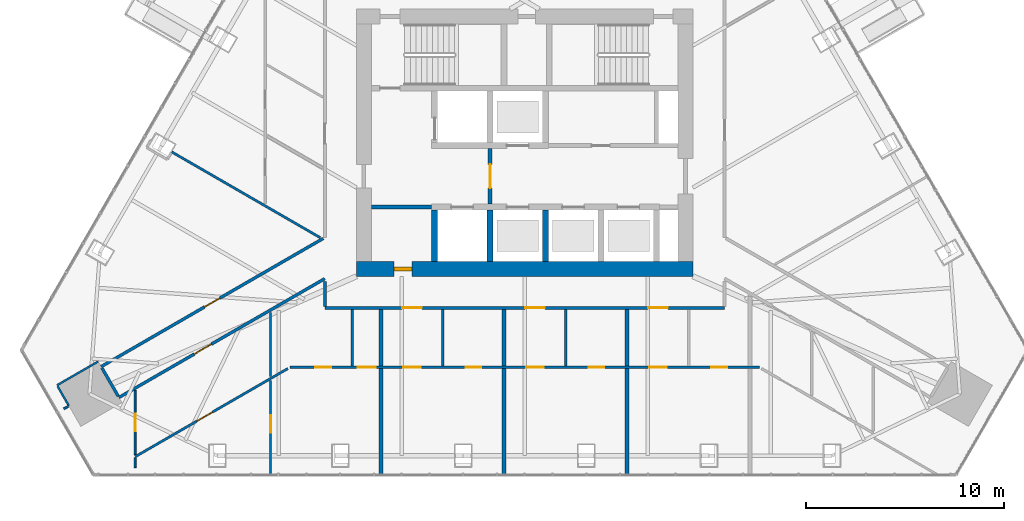
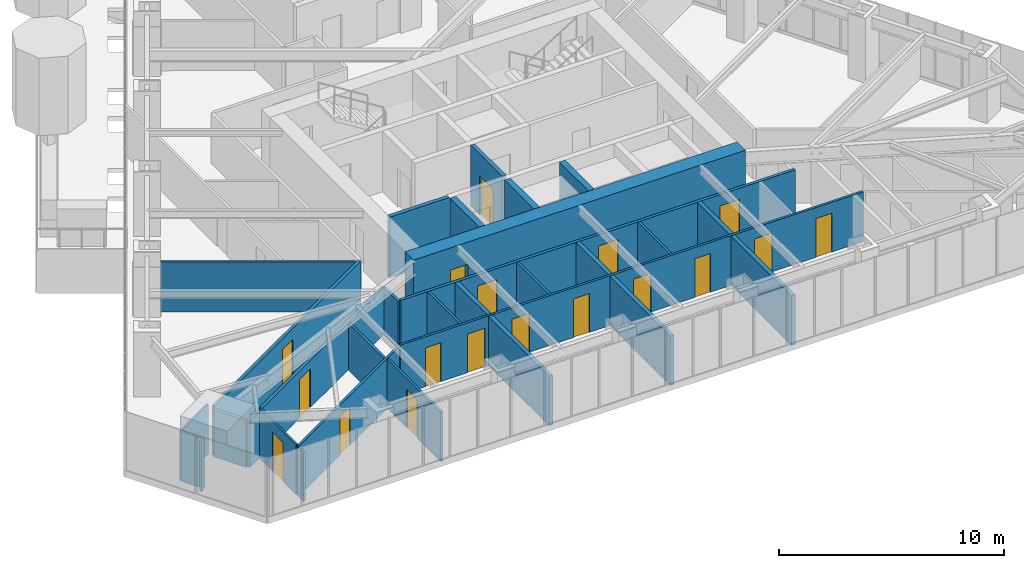
# One storey, part 16 of 22: 30 walls, 18 doors, 18 openings.
"""IFC4 building model written with IfcOpenShell, lengths in metres."""

from ifc_helpers import new_model, si_unit, direction, frame, frame_2d, origin, place, context, subcontext, project, spatial, rectangle, extrude, material, layer, layer_set, type_object, element, fill, save


model = new_model("IFC4")

# Units and contexts
model_context = context("Model", 3, precision=1e-05, world=origin(), true_north=direction((0.0, 1.0)))
body_context = subcontext(model_context, "Body", "Model", "MODEL_VIEW")
ifc_project = project(units=[si_unit("LENGTHUNIT", "METRE"), si_unit("AREAUNIT", "SQUARE_METRE"), si_unit("VOLUMEUNIT", "CUBIC_METRE"), si_unit("PLANEANGLEUNIT", "RADIAN"), si_unit("MASSUNIT", "GRAM", prefix="KILO")], contexts=[model_context])

# Site, building, storey
site_placement = place(None, origin())
site = spatial("IfcSite", under=ifc_project, at=site_placement, CompositionType="ELEMENT")
building_placement = place(site_placement, origin())
building = spatial("IfcBuilding", under=site, at=building_placement, Name="Firuza Gate Tower and Library", CompositionType="ELEMENT")
storey_placement = place(building_placement, frame((0.0, 0.0, 295.10009765625)))
storey = spatial("IfcBuildingStorey", under=building, at=storey_placement, Name="L71", CompositionType="ELEMENT", Elevation=295.10009765625)

# Wall
ifc_material_1 = material(Name="Plasterboard on steel studs", Category="steel")
ifc_layer_1 = layer(ifc_material_1, 0.199951171875)
ifc_layer_set_1 = layer_set([ifc_layer_1], Name="Core partition 200 EI 60")
wall_type_1 = type_object("IfcWallType", Name="Core partition 200 EI 60", PredefinedType="PARTITIONING", material=ifc_layer_set_1)
wall_1_placement = place(storey_placement, frame((67.25, 71.75, 0.0), z_axis=(0.0, 0.0, 1.0), x_axis=(1.0, 0.0, 0.0)))
element("IfcWall", 1, at=wall_1_placement, inside=storey, type_object=wall_type_1, Name="Core partition L71 1", PredefinedType="PARTITIONING", context=body_context, shape_type="SweptSolid", body=[
    extrude(rectangle(XDim=3.050048828125, YDim=0.199951171875, at=frame_2d((1.52490234375, 0.0))), origin(), (0.0, 0.0, 1.0), 3.2998046875),
])

# Wall, opening, door
wall_2_placement = place(storey_placement, frame((73.25, 71.89990234375, 0.0), z_axis=(0.0, 0.0, 1.0), x_axis=(0.0, 1.0, 0.0)))
wall_2 = element("IfcWall", 2, at=wall_2_placement, inside=storey, type_object=wall_type_1, Name="Core partition L71 4", PredefinedType="PARTITIONING", context=body_context, shape_type="SweptSolid", body=[
    extrude(rectangle(XDim=2.800048828125, YDim=0.199951171875, at=frame_2d((1.39990234375, 0.0))), origin(), (0.0, 0.0, 1.0), 3.2998046875),
])
opening_1_placement = place(wall_2_placement, frame((0.800048828125, 0.0, 0.0)))
opening_1 = element("IfcOpeningElement", 3, at=opening_1_placement, cuts=wall_2, Name="Opening L71-K14", PredefinedType="OPENING", context=body_context, shape_type="SweptSolid", body=[
    extrude(rectangle(XDim=1.199951171875, YDim=2.10009765625, at=frame_2d((0.60009765625, 1.050048828125))), frame((0.0, 0.10986328125, 0.0), z_axis=(0.0, -1.0, 0.0), x_axis=(1.0, 0.0, 0.0)), (0.0, 0.0, 1.0), 0.219970703125),
])
ifc_material_2 = material(Name="Steel", Category="steel")
door_type_1 = type_object("IfcDoorType", Name="Fire door 1200x2100 FD90S", OperationType="NOTDEFINED", PredefinedType="DOOR", material=ifc_material_2)
door_1_placement = place(opening_1_placement, origin())
door_1 = element("IfcDoor", 4, at=door_1_placement, inside=storey, type_object=door_type_1, Name="Door L71-K14", OperationType="SINGLE_SWING_LEFT", OverallHeight=2.10009765625, OverallWidth=1.199951171875, PredefinedType="DOOR", context=body_context, shape_type="SweptSolid", body=[
    extrude(rectangle(XDim=1.199951171875, YDim=2.10009765625, at=frame_2d((0.60009765625, 1.050048828125))), frame((0.0, 0.02490234375, 0.0), z_axis=(0.0, -1.0, 0.0), x_axis=(1.0, 0.0, 0.0)), (0.0, 0.0, 1.0), 0.050048828125),
])
fill(opening_1, door_1)

# Walls
ifc_material_3 = material(Name="Concrete C60/75", Category="concrete")
ifc_layer_2 = layer(ifc_material_3, 0.300048828125)
ifc_layer_set_2 = layer_set([ifc_layer_2], Name="Core wall 300 C60/75")
wall_type_2 = type_object("IfcWallType", Name="Core wall 300 C60/75", PredefinedType="SHEAR", material=ifc_layer_set_2)
for number, where, z_axis, x_axis, name in (
    (5, (70.449951171875, 69.0, 0.0), (0.0, 0.0, 1.0), (0.0, 1.0, 0.0), "Core wall L71 7"),
    (6, (73.25, 69.0, 0.0), (0.0, 0.0, 1.0), (0.0, 1.0, 0.0), "Core wall L71 9"),
    (7, (76.050048828125, 69.0, 0.0), (0.0, 0.0, 1.0), (0.0, 1.0, 0.0), "Core wall L71 11"),
):
    element("IfcWall", number, at=place(storey_placement, frame(where, z_axis=z_axis, x_axis=x_axis)), inside=storey, type_object=wall_type_2, Name=name, PredefinedType="SHEAR", context=body_context, shape_type="SweptSolid", body=[
        extrude(rectangle(XDim=2.60009765625, YDim=0.300048828125, at=frame_2d((1.300048828125, 0.0))), origin(), (0.0, 0.0, 1.0), 3.2998046875),
    ])

# Wall, opening, door
ifc_material_4 = material(Name="Concrete C60/75", Category="concrete")
ifc_layer_3 = layer(ifc_material_4, 0.75)
ifc_layer_set_3 = layer_set([ifc_layer_3], Name="Core wall 750 C60/75")
wall_type_3 = type_object("IfcWallType", Name="Core wall 750 C60/75", PredefinedType="SHEAR", material=ifc_layer_set_3)
wall_3_placement = place(storey_placement, frame((66.5, 68.625, 0.0), z_axis=(0.0, 0.0, 1.0), x_axis=(1.0, 0.0, 0.0)))
wall_3 = element("IfcWall", 8, at=wall_3_placement, inside=storey, type_object=wall_type_3, Name="Core wall L71 1", PredefinedType="SHEAR", context=body_context, shape_type="SweptSolid", body=[
    extrude(rectangle(XDim=17.0, YDim=0.75, at=frame_2d((8.5, 0.0))), origin(), (0.0, 0.0, 1.0), 3.2998046875),
])
opening_2_placement = place(wall_3_placement, frame((1.89990234375, 0.0, 0.0)))
opening_2 = element("IfcOpeningElement", 9, at=opening_2_placement, cuts=wall_3, Name="Opening L71-K17", PredefinedType="OPENING", context=body_context, shape_type="SweptSolid", body=[
    extrude(rectangle(XDim=0.89990234375, YDim=2.10009765625, at=frame_2d((0.449951171875, 1.050048828125))), frame((0.0, 0.385009765625, 0.0), z_axis=(0.0, -1.0, 0.0), x_axis=(1.0, 0.0, 0.0)), (0.0, 0.0, 1.0), 0.77001953125),
])
ifc_material_5 = material(Name="Steel", Category="steel")
door_type_2 = type_object("IfcDoorType", Name="Fire door 900x2100 FD30S", OperationType="NOTDEFINED", PredefinedType="DOOR", material=ifc_material_5)
door_2_placement = place(opening_2_placement, origin())
door_2 = element("IfcDoor", 10, at=door_2_placement, inside=storey, type_object=door_type_2, Name="Door L71-K17", OperationType="SINGLE_SWING_RIGHT", OverallHeight=2.10009765625, OverallWidth=0.89990234375, PredefinedType="DOOR", context=body_context, shape_type="SweptSolid", body=[
    extrude(rectangle(XDim=0.89990234375, YDim=2.10009765625, at=frame_2d((0.449951171875, 1.050048828125))), frame((0.0, 0.094970703125, 0.0), z_axis=(0.0, -1.0, 0.0), x_axis=(1.0, 0.0, 0.0)), (0.0, 0.0, 1.0), 0.18994140625),
])
fill(opening_2, door_2)

# Wall, openings, doors
ifc_material_6 = material(Name="Gypsum board partition")
ifc_layer_4 = layer(ifc_material_6, 0.14990234375)
ifc_layer_set_4 = layer_set([ifc_layer_4], Name="Corridor wall 150 double board on steel studs")
wall_type_4 = type_object("IfcWallType", Name="Corridor wall 150 double board on steel studs", PredefinedType="PARTITIONING", material=ifc_layer_set_4)
wall_4_placement = place(storey_placement, frame((85.10009765625, 66.64990234375, 0.0), z_axis=(0.0, 0.0, 1.0), x_axis=(-1.0, 0.0, 0.0)))
wall_4 = element("IfcWall", 11, at=wall_4_placement, inside=storey, type_object=wall_type_4, Name="f:L71:w001", PredefinedType="PARTITIONING", context=body_context, shape_type="SweptSolid", body=[
    extrude(rectangle(XDim=20.2001953125, YDim=0.14990234375, at=frame_2d((10.10009765625, 0.0))), origin(), (0.0, 0.0, 1.0), 2.699951171875),
])
opening_3_placement = place(wall_4_placement, frame((2.868896484375, 0.0, 0.0)))
opening_3 = element("IfcOpeningElement", 12, at=opening_3_placement, cuts=wall_4, Name="Opening L71-09", PredefinedType="OPENING", context=body_context, shape_type="SweptSolid", body=[
    extrude(rectangle(XDim=1.0, YDim=2.10009765625, at=frame_2d((0.5, 1.050048828125))), frame((0.0, 0.0849609375, 0.0), z_axis=(0.0, -1.0, 0.0), x_axis=(1.0, 0.0, 0.0)), (0.0, 0.0, 1.0), 0.169921875),
])
opening_4_placement = place(wall_4_placement, frame((9.082275390625, 0.0, 0.0)))
opening_4 = element("IfcOpeningElement", 13, at=opening_4_placement, cuts=wall_4, Name="Opening L71-10", PredefinedType="OPENING", context=body_context, shape_type="SweptSolid", body=[
    extrude(rectangle(XDim=1.0, YDim=2.10009765625, at=frame_2d((0.5, 1.050048828125))), frame((0.0, 0.0849609375, 0.0), z_axis=(0.0, -1.0, 0.0), x_axis=(1.0, 0.0, 0.0)), (0.0, 0.0, 1.0), 0.169921875),
])
opening_5_placement = place(wall_4_placement, frame((15.295654296875, 0.0, 0.0)))
opening_5 = element("IfcOpeningElement", 14, at=opening_5_placement, cuts=wall_4, Name="Opening L71-11", PredefinedType="OPENING", context=body_context, shape_type="SweptSolid", body=[
    extrude(rectangle(XDim=1.0, YDim=2.10009765625, at=frame_2d((0.5, 1.050048828125))), frame((0.0, 0.0849609375, 0.0), z_axis=(0.0, -1.0, 0.0), x_axis=(1.0, 0.0, 0.0)), (0.0, 0.0, 1.0), 0.169921875),
])
ifc_material_7 = material(Name="Steel door and timber leaf", Category="steel")
door_type_3 = type_object("IfcDoorType", Name="Fire door 1000 x 2100 steel frame, timber leaf", OperationType="NOTDEFINED", PredefinedType="DOOR", material=ifc_material_7)
door_3_placement = place(opening_3_placement, origin())
door_3 = element("IfcDoor", 15, at=door_3_placement, inside=storey, type_object=door_type_3, Name="f:L71:d009", OperationType="SINGLE_SWING_LEFT", OverallHeight=2.10009765625, OverallWidth=1.0, PredefinedType="DOOR", context=body_context, shape_type="SweptSolid", body=[
    extrude(rectangle(XDim=1.0, YDim=2.10009765625, at=frame_2d((0.5, 1.050048828125))), frame((0.0, 0.02490234375, 0.0), z_axis=(0.0, -1.0, 0.0), x_axis=(1.0, 0.0, 0.0)), (0.0, 0.0, 1.0), 0.050048828125),
])
fill(opening_3, door_3)
door_4_placement = place(opening_4_placement, origin())
door_4 = element("IfcDoor", 16, at=door_4_placement, inside=storey, type_object=door_type_3, Name="f:L71:d010", OperationType="SINGLE_SWING_RIGHT", OverallHeight=2.10009765625, OverallWidth=1.0, PredefinedType="DOOR", context=body_context, shape_type="SweptSolid", body=[
    extrude(rectangle(XDim=1.0, YDim=2.10009765625, at=frame_2d((0.5, 1.050048828125))), frame((0.0, 0.02490234375, 0.0), z_axis=(0.0, -1.0, 0.0), x_axis=(1.0, 0.0, 0.0)), (0.0, 0.0, 1.0), 0.050048828125),
])
fill(opening_4, door_4)
door_5_placement = place(opening_5_placement, origin())
door_5 = element("IfcDoor", 17, at=door_5_placement, inside=storey, type_object=door_type_3, Name="f:L71:d011", OperationType="SINGLE_SWING_LEFT", OverallHeight=2.10009765625, OverallWidth=1.0, PredefinedType="DOOR", context=body_context, shape_type="SweptSolid", body=[
    extrude(rectangle(XDim=1.0, YDim=2.10009765625, at=frame_2d((0.5, 1.050048828125))), frame((0.0, 0.02490234375, 0.0), z_axis=(0.0, -1.0, 0.0), x_axis=(1.0, 0.0, 0.0)), (0.0, 0.0, 1.0), 0.050048828125),
])
fill(opening_5, door_5)

# Wall, opening, door
wall_5_placement = place(storey_placement, frame((64.89990234375, 68.129638671875, 0.0), z_axis=(0.0, 0.0, 1.0), x_axis=(-0.866024746207, -0.500001138955, 0.0)))
wall_5 = element("IfcWall", 18, at=wall_5_placement, inside=storey, type_object=wall_type_4, Name="f:L71:w012", PredefinedType="PARTITIONING", context=body_context, shape_type="SweptSolid", body=[
    extrude(rectangle(XDim=12.0068359375, YDim=0.14990234375, at=frame_2d((6.00341796875, 0.0))), origin(), (0.0, 0.0, 1.0), 2.546875),
])
opening_6_placement = place(wall_5_placement, frame((6.611083984375, 0.0, 0.0)))
opening_6 = element("IfcOpeningElement", 19, at=opening_6_placement, cuts=wall_5, Name="Opening L71-17", PredefinedType="OPENING", context=body_context, shape_type="SweptSolid", body=[
    extrude(rectangle(XDim=1.0, YDim=2.10009765625, at=frame_2d((0.5, 1.050048828125))), frame((0.0, 0.0849609375, 0.0), z_axis=(0.0, -1.0, 0.0), x_axis=(1.0, 0.0, 0.0)), (0.0, 0.0, 1.0), 0.169921875),
])
door_6_placement = place(opening_6_placement, origin())
door_6 = element("IfcDoor", 20, at=door_6_placement, inside=storey, type_object=door_type_3, Name="f:L71:d017", OperationType="SINGLE_SWING_RIGHT", OverallHeight=2.10009765625, OverallWidth=1.0, PredefinedType="DOOR", context=body_context, shape_type="SweptSolid", body=[
    extrude(rectangle(XDim=1.0, YDim=2.10009765625, at=frame_2d((0.5, 1.050048828125))), frame((0.0, 0.02490234375, 0.0), z_axis=(0.0, -1.0, 0.0), x_axis=(1.0, 0.0, 0.0)), (0.0, 0.0, 1.0), 0.050048828125),
])
fill(opening_6, door_6)

wall_6_placement = place(storey_placement, frame((53.601318359375, 63.684814453125, 0.0), z_axis=(0.0, 0.0, 1.0), x_axis=(0.866024967991, 0.500000754816, 0.0)))
wall_6 = element("IfcWall", 21, at=wall_6_placement, inside=storey, type_object=wall_type_4, Name="f:L71:w015", PredefinedType="PARTITIONING", context=body_context, shape_type="SweptSolid", body=[
    extrude(rectangle(XDim=12.9599609375, YDim=0.14990234375, at=frame_2d((6.47998046875, 0.0))), origin(), (0.0, 0.0, 1.0), 2.699951171875),
])
opening_7_placement = place(wall_6_placement, frame((6.030029296875, 0.0, 0.0)))
opening_7 = element("IfcOpeningElement", 22, at=opening_7_placement, cuts=wall_6, Name="Opening L71-18", PredefinedType="OPENING", context=body_context, shape_type="SweptSolid", body=[
    extrude(rectangle(XDim=0.89990234375, YDim=2.10009765625, at=frame_2d((0.449951171875, 1.050048828125))), frame((0.0, 0.0849609375, 0.0), z_axis=(0.0, -1.0, 0.0), x_axis=(1.0, 0.0, 0.0)), (0.0, 0.0, 1.0), 0.169921875),
])
ifc_material_8 = material(Name="Steel door and timber leaf", Category="steel")
door_type_4 = type_object("IfcDoorType", Name="Fire door 900 x 2100 steel frame, timber leaf", OperationType="NOTDEFINED", PredefinedType="DOOR", material=ifc_material_8)
door_7_placement = place(opening_7_placement, origin())
door_7 = element("IfcDoor", 23, at=door_7_placement, inside=storey, type_object=door_type_4, Name="f:L71:d018", OperationType="SINGLE_SWING_RIGHT", OverallHeight=2.10009765625, OverallWidth=0.89990234375, PredefinedType="DOOR", context=body_context, shape_type="SweptSolid", body=[
    extrude(rectangle(XDim=0.89990234375, YDim=2.10009765625, at=frame_2d((0.449951171875, 1.050048828125))), frame((0.0, 0.02490234375, 0.0), z_axis=(0.0, -1.0, 0.0), x_axis=(1.0, 0.0, 0.0)), (0.0, 0.0, 1.0), 0.050048828125),
])
fill(opening_7, door_7)

# Walls
wall_7_placement = place(storey_placement, frame((64.89990234375, 66.72509765625, 0.0), z_axis=(0.0, 0.0, 1.0), x_axis=(0.0, 1.0, 0.0)))
element("IfcWall", 24, at=wall_7_placement, inside=storey, type_object=wall_type_4, Name="f:L71:w043", PredefinedType="PARTITIONING", context=body_context, shape_type="SweptSolid", body=[
    extrude(rectangle(XDim=1.267822265625, YDim=0.14990234375, at=frame_2d((0.6337890625, 0.0))), origin(), (0.0, 0.0, 1.0), 2.546875),
])
wall_8_placement = place(storey_placement, frame((54.464111328125, 62.19140625, 0.0), z_axis=(0.0, 0.0, 1.0), x_axis=(-0.499988108725, 0.866032269107, 0.0)))
element("IfcWall", 25, at=wall_8_placement, inside=storey, type_object=wall_type_4, Name="f:L71:w048", PredefinedType="PARTITIONING", context=body_context, shape_type="SweptSolid", body=[
    extrude(rectangle(XDim=1.64404296875, YDim=0.14990234375, at=frame_2d((0.822021484375, 0.0))), origin(), (0.0, 0.0, 1.0), 2.546875),
])
ifc_material_9 = material(Name="Gypsum board partition")
ifc_layer_5 = layer(ifc_material_9, 0.199951171875)
ifc_layer_set_5 = layer_set([ifc_layer_5], Name="Demising wall 200 acoustic double stud")
wall_type_5 = type_object("IfcWallType", Name="Demising wall 200 acoustic double stud", PredefinedType="PARTITIONING", material=ifc_layer_set_5)
for number, where, z_axis, x_axis, name in (
    (26, (80.177978515625, 58.2275390625, 0.0), (0.0, 0.0, 1.0), (0.0, 1.0, 0.0), "f:L71:w029"),
    (27, (73.964111328125, 58.2275390625, 0.0), (0.0, 0.0, 1.0), (0.0, 1.0, 0.0), "f:L71:w036"),
    (28, (67.7509765625, 58.2275390625, 0.0), (0.0, 0.0, 1.0), (0.0, 1.0, 0.0), "f:L71:w041"),
):
    element("IfcWall", number, at=place(storey_placement, frame(where, z_axis=z_axis, x_axis=x_axis)), inside=storey, type_object=wall_type_5, Name=name, PredefinedType="PARTITIONING", context=body_context, shape_type="SweptSolid", body=[
        extrude(rectangle(XDim=5.362548828125, YDim=0.199951171875, at=frame_2d((2.68115234375, 0.0))), origin(), (0.0, 0.0, 1.0), 2.68798828125),
    ])
for number, where, z_axis, x_axis, name in (
    (29, (80.177978515625, 63.7099609375, 0.0), (0.0, 0.0, 1.0), (0.0, 1.0, 0.0), "f:L71:w062"),
    (30, (73.964111328125, 63.7099609375, 0.0), (0.0, 0.0, 1.0), (0.0, 1.0, 0.0), "f:L71:w064"),
    (31, (67.7509765625, 63.7099609375, 0.0), (0.0, 0.0, 1.0), (0.0, 1.0, 0.0), "f:L71:w065"),
):
    element("IfcWall", number, at=place(storey_placement, frame(where, z_axis=z_axis, x_axis=x_axis)), inside=storey, type_object=wall_type_5, Name=name, PredefinedType="PARTITIONING", context=body_context, shape_type="SweptSolid", body=[
        extrude(rectangle(XDim=2.864990234375, YDim=0.199951171875, at=frame_2d((1.4326171875, 0.0))), origin(), (0.0, 0.0, 1.0), 2.699951171875),
    ])
ifc_material_10 = material(Name="Gypsum board partition")
ifc_layer_6 = layer(ifc_material_10, 0.10009765625)
ifc_layer_set_6 = layer_set([ifc_layer_6], Name="Partition 100 gypsum board on steel studs")
wall_type_6 = type_object("IfcWallType", Name="Partition 100 gypsum board on steel studs", PredefinedType="PARTITIONING", material=ifc_layer_set_6)
wall_9_placement = place(storey_placement, frame((51.713134765625, 61.555419921875, 0.0), z_axis=(0.0, 0.0, 1.0), x_axis=(0.866071776036, 0.499919672301, 0.0)))
element("IfcWall", 32, at=wall_9_placement, inside=storey, type_object=wall_type_6, Name="f:L71:w013", PredefinedType="PARTITIONING", context=body_context, shape_type="SweptSolid", body=[
    extrude(rectangle(XDim=0.25, YDim=0.10009765625, at=frame_2d((0.125, 0.0))), origin(), (0.0, 0.0, 1.0), 2.699951171875),
])
wall_10_placement = place(storey_placement, frame((51.373291015625, 62.744873046875, 0.0), z_axis=(0.0, 0.0, 1.0), x_axis=(0.866036455013, 0.499980858223, 0.0)))
element("IfcWall", 33, at=wall_10_placement, inside=storey, type_object=wall_type_6, Name="f:L71:w016", PredefinedType="PARTITIONING", context=body_context, shape_type="SweptSolid", body=[
    extrude(rectangle(XDim=2.39892578125, YDim=0.10009765625, at=frame_2d((1.199462890625, 0.0))), origin(), (0.0, 0.0, 1.0), 2.699951171875),
])
wall_11_placement = place(storey_placement, frame((55.323974609375, 58.587646484375, 0.0), z_axis=(0.0, 0.0, 1.0), x_axis=(0.0, 1.0, 0.0)))
element("IfcWall", 34, at=wall_11_placement, inside=storey, type_object=wall_type_6, Name="f:L71:w047", PredefinedType="PARTITIONING", context=body_context, shape_type="SweptSolid", body=[
    extrude(rectangle(XDim=0.49755859375, YDim=0.10009765625, at=frame_2d((0.248779296875, 0.0))), origin(), (0.0, 0.0, 1.0), 2.699951171875),
])
wall_12_placement = place(storey_placement, frame((51.973388671875, 61.70556640625, 0.0), z_axis=(0.0, 0.0, 1.0), x_axis=(-0.500022773673, 0.866012254999, 0.0)))
element("IfcWall", 35, at=wall_12_placement, inside=storey, type_object=wall_type_6, Name="f:L71:w049", PredefinedType="PARTITIONING", context=body_context, shape_type="SweptSolid", body=[
    extrude(rectangle(XDim=1.1494140625, YDim=0.10009765625, at=frame_2d((0.57470703125, 0.0))), origin(), (0.0, 0.0, 1.0), 2.699951171875),
])

# Wall, opening, door
wall_13_placement = place(storey_placement, frame((55.323974609375, 62.484375, 0.0), z_axis=(0.0, 0.0, 1.0), x_axis=(0.0, -1.0, 0.0)))
wall_13 = element("IfcWall", 36, at=wall_13_placement, inside=storey, type_object=wall_type_6, Name="f:L71:w063", PredefinedType="PARTITIONING", context=body_context, shape_type="SweptSolid", body=[
    extrude(rectangle(XDim=3.24951171875, YDim=0.10009765625, at=frame_2d((1.624755859375, 0.0))), origin(), (0.0, 0.0, 1.0), 2.699951171875),
])
opening_8_placement = place(wall_13_placement, frame((1.1748046875, 0.0, 0.0)))
opening_8 = element("IfcOpeningElement", 37, at=opening_8_placement, cuts=wall_13, Name="Opening L71-28", PredefinedType="OPENING", context=body_context, shape_type="SweptSolid", body=[
    extrude(rectangle(XDim=0.89990234375, YDim=2.10009765625, at=frame_2d((0.449951171875, 1.050048828125))), frame((0.0, 0.06005859375, 0.0), z_axis=(0.0, -1.0, 0.0), x_axis=(1.0, 0.0, 0.0)), (0.0, 0.0, 1.0), 0.1201171875),
])
ifc_material_11 = material(Name="Timber door", Category="wood")
door_type_5 = type_object("IfcDoorType", Name="Door 900 x 2100 timber leaf", OperationType="NOTDEFINED", PredefinedType="DOOR", material=ifc_material_11)
door_8_placement = place(opening_8_placement, origin())
door_8 = element("IfcDoor", 38, at=door_8_placement, inside=storey, type_object=door_type_5, Name="f:L71:d028", OperationType="SINGLE_SWING_RIGHT", OverallHeight=2.10009765625, OverallWidth=0.89990234375, PredefinedType="DOOR", context=body_context, shape_type="SweptSolid", body=[
    extrude(rectangle(XDim=0.89990234375, YDim=2.10009765625, at=frame_2d((0.449951171875, 1.050048828125))), frame((0.0, 0.02490234375, 0.0), z_axis=(0.0, -1.0, 0.0), x_axis=(1.0, 0.0, 0.0)), (0.0, 0.0, 1.0), 0.050048828125),
])
fill(opening_8, door_8)

# Wall, openings, doors
ifc_material_12 = material(Name="Gypsum board partition")
ifc_layer_7 = layer(ifc_material_12, 0.1201171875)
ifc_layer_set_7 = layer_set([ifc_layer_7], Name="Wet-area partition 120 moisture-resistant board")
wall_type_7 = type_object("IfcWallType", Name="Wet-area partition 120 moisture-resistant board", PredefinedType="PARTITIONING", material=ifc_layer_set_7)
wall_14_placement = place(storey_placement, frame((63.14111328125, 63.64990234375, 0.0), z_axis=(0.0, 0.0, 1.0), x_axis=(1.0, 0.0, 0.0)))
wall_14 = element("IfcWall", 39, at=wall_14_placement, inside=storey, type_object=wall_type_7, Name="f:L71:w000", PredefinedType="PARTITIONING", context=body_context, shape_type="SweptSolid", body=[
    extrude(rectangle(XDim=23.7177734375, YDim=0.1201171875, at=frame_2d((11.85888671875, 0.0))), origin(), (0.0, 0.0, 1.0), 2.699951171875),
])
opening_9_placement = place(wall_14_placement, frame((1.275634765625, 0.0, 0.0)))
opening_9 = element("IfcOpeningElement", 40, at=opening_9_placement, cuts=wall_14, Name="Opening L71-01", PredefinedType="OPENING", context=body_context, shape_type="SweptSolid", body=[
    extrude(rectangle(XDim=0.800048828125, YDim=2.10009765625, at=frame_2d((0.39990234375, 1.050048828125))), frame((0.0, 0.070068359375, 0.0), z_axis=(0.0, -1.0, 0.0), x_axis=(1.0, 0.0, 0.0)), (0.0, 0.0, 1.0), 0.14013671875),
])
opening_10_placement = place(wall_14_placement, frame((3.430419921875, 0.0, 0.0)))
opening_10 = element("IfcOpeningElement", 41, at=opening_10_placement, cuts=wall_14, Name="Opening L71-02", PredefinedType="OPENING", context=body_context, shape_type="SweptSolid", body=[
    extrude(rectangle(XDim=0.89990234375, YDim=2.10009765625, at=frame_2d((0.449951171875, 1.050048828125))), frame((0.0, 0.070068359375, 0.0), z_axis=(0.0, -1.0, 0.0), x_axis=(1.0, 0.0, 0.0)), (0.0, 0.0, 1.0), 0.14013671875),
])
opening_11_placement = place(wall_14_placement, frame((5.71484375, 0.0, 0.0)))
opening_11 = element("IfcOpeningElement", 42, at=opening_11_placement, cuts=wall_14, Name="Opening L71-03", PredefinedType="OPENING", context=body_context, shape_type="SweptSolid", body=[
    extrude(rectangle(XDim=0.89990234375, YDim=2.10009765625, at=frame_2d((0.449951171875, 1.050048828125))), frame((0.0, 0.070068359375, 0.0), z_axis=(0.0, -1.0, 0.0), x_axis=(1.0, 0.0, 0.0)), (0.0, 0.0, 1.0), 0.14013671875),
])
opening_12_placement = place(wall_14_placement, frame((8.869873046875, 0.0, 0.0)))
opening_12 = element("IfcOpeningElement", 43, at=opening_12_placement, cuts=wall_14, Name="Opening L71-04", PredefinedType="OPENING", context=body_context, shape_type="SweptSolid", body=[
    extrude(rectangle(XDim=0.800048828125, YDim=2.10009765625, at=frame_2d((0.39990234375, 1.050048828125))), frame((0.0, 0.070068359375, 0.0), z_axis=(0.0, -1.0, 0.0), x_axis=(1.0, 0.0, 0.0)), (0.0, 0.0, 1.0), 0.14013671875),
])
opening_13_placement = place(wall_14_placement, frame((11.927978515625, 0.0, 0.0)))
opening_13 = element("IfcOpeningElement", 44, at=opening_13_placement, cuts=wall_14, Name="Opening L71-05", PredefinedType="OPENING", context=body_context, shape_type="SweptSolid", body=[
    extrude(rectangle(XDim=0.89990234375, YDim=2.10009765625, at=frame_2d((0.449951171875, 1.050048828125))), frame((0.0, 0.070068359375, 0.0), z_axis=(0.0, -1.0, 0.0), x_axis=(1.0, 0.0, 0.0)), (0.0, 0.0, 1.0), 0.14013671875),
])
opening_14_placement = place(wall_14_placement, frame((15.083251953125, 0.0, 0.0)))
opening_14 = element("IfcOpeningElement", 45, at=opening_14_placement, cuts=wall_14, Name="Opening L71-06", PredefinedType="OPENING", context=body_context, shape_type="SweptSolid", body=[
    extrude(rectangle(XDim=0.800048828125, YDim=2.10009765625, at=frame_2d((0.39990234375, 1.050048828125))), frame((0.0, 0.070068359375, 0.0), z_axis=(0.0, -1.0, 0.0), x_axis=(1.0, 0.0, 0.0)), (0.0, 0.0, 1.0), 0.14013671875),
])
opening_15_placement = place(wall_14_placement, frame((18.141357421875, 0.0, 0.0)))
opening_15 = element("IfcOpeningElement", 46, at=opening_15_placement, cuts=wall_14, Name="Opening L71-07", PredefinedType="OPENING", context=body_context, shape_type="SweptSolid", body=[
    extrude(rectangle(XDim=0.89990234375, YDim=2.10009765625, at=frame_2d((0.449951171875, 1.050048828125))), frame((0.0, 0.070068359375, 0.0), z_axis=(0.0, -1.0, 0.0), x_axis=(1.0, 0.0, 0.0)), (0.0, 0.0, 1.0), 0.14013671875),
])
opening_16_placement = place(wall_14_placement, frame((21.296630859375, 0.0, 0.0)))
opening_16 = element("IfcOpeningElement", 47, at=opening_16_placement, cuts=wall_14, Name="Opening L71-08", PredefinedType="OPENING", context=body_context, shape_type="SweptSolid", body=[
    extrude(rectangle(XDim=0.800048828125, YDim=2.10009765625, at=frame_2d((0.39990234375, 1.050048828125))), frame((0.0, 0.070068359375, 0.0), z_axis=(0.0, -1.0, 0.0), x_axis=(1.0, 0.0, 0.0)), (0.0, 0.0, 1.0), 0.14013671875),
])
ifc_material_13 = material(Name="Timber door", Category="wood")
door_type_6 = type_object("IfcDoorType", Name="Door 800 x 2100 timber leaf", OperationType="NOTDEFINED", PredefinedType="DOOR", material=ifc_material_13)
door_9_placement = place(opening_9_placement, origin())
door_9 = element("IfcDoor", 48, at=door_9_placement, inside=storey, type_object=door_type_6, Name="f:L71:d001", OperationType="SINGLE_SWING_RIGHT", OverallHeight=2.10009765625, OverallWidth=0.800048828125, PredefinedType="DOOR", context=body_context, shape_type="SweptSolid", body=[
    extrude(rectangle(XDim=0.800048828125, YDim=2.10009765625, at=frame_2d((0.39990234375, 1.050048828125))), frame((0.0, 0.02490234375, 0.0), z_axis=(0.0, -1.0, 0.0), x_axis=(1.0, 0.0, 0.0)), (0.0, 0.0, 1.0), 0.050048828125),
])
fill(opening_9, door_9)
door_10_placement = place(opening_12_placement, origin())
door_10 = element("IfcDoor", 49, at=door_10_placement, inside=storey, type_object=door_type_6, Name="f:L71:d004", OperationType="SINGLE_SWING_LEFT", OverallHeight=2.10009765625, OverallWidth=0.800048828125, PredefinedType="DOOR", context=body_context, shape_type="SweptSolid", body=[
    extrude(rectangle(XDim=0.800048828125, YDim=2.10009765625, at=frame_2d((0.39990234375, 1.050048828125))), frame((0.0, 0.02490234375, 0.0), z_axis=(0.0, -1.0, 0.0), x_axis=(1.0, 0.0, 0.0)), (0.0, 0.0, 1.0), 0.050048828125),
])
fill(opening_12, door_10)
door_11_placement = place(opening_14_placement, origin())
door_11 = element("IfcDoor", 50, at=door_11_placement, inside=storey, type_object=door_type_6, Name="f:L71:d006", OperationType="SINGLE_SWING_RIGHT", OverallHeight=2.10009765625, OverallWidth=0.800048828125, PredefinedType="DOOR", context=body_context, shape_type="SweptSolid", body=[
    extrude(rectangle(XDim=0.800048828125, YDim=2.10009765625, at=frame_2d((0.39990234375, 1.050048828125))), frame((0.0, 0.02490234375, 0.0), z_axis=(0.0, -1.0, 0.0), x_axis=(1.0, 0.0, 0.0)), (0.0, 0.0, 1.0), 0.050048828125),
])
fill(opening_14, door_11)
door_12_placement = place(opening_16_placement, origin())
door_12 = element("IfcDoor", 51, at=door_12_placement, inside=storey, type_object=door_type_6, Name="f:L71:d008", OperationType="SINGLE_SWING_LEFT", OverallHeight=2.10009765625, OverallWidth=0.800048828125, PredefinedType="DOOR", context=body_context, shape_type="SweptSolid", body=[
    extrude(rectangle(XDim=0.800048828125, YDim=2.10009765625, at=frame_2d((0.39990234375, 1.050048828125))), frame((0.0, 0.02490234375, 0.0), z_axis=(0.0, -1.0, 0.0), x_axis=(1.0, 0.0, 0.0)), (0.0, 0.0, 1.0), 0.050048828125),
])
fill(opening_16, door_12)
door_13_placement = place(opening_10_placement, origin())
door_13 = element("IfcDoor", 52, at=door_13_placement, inside=storey, type_object=door_type_5, Name="f:L71:d002", OperationType="SINGLE_SWING_LEFT", OverallHeight=2.10009765625, OverallWidth=0.89990234375, PredefinedType="DOOR", context=body_context, shape_type="SweptSolid", body=[
    extrude(rectangle(XDim=0.89990234375, YDim=2.10009765625, at=frame_2d((0.449951171875, 1.050048828125))), frame((0.0, 0.02490234375, 0.0), z_axis=(0.0, -1.0, 0.0), x_axis=(1.0, 0.0, 0.0)), (0.0, 0.0, 1.0), 0.050048828125),
])
fill(opening_10, door_13)
door_14_placement = place(opening_11_placement, origin())
door_14 = element("IfcDoor", 53, at=door_14_placement, inside=storey, type_object=door_type_5, Name="f:L71:d003", OperationType="SINGLE_SWING_LEFT", OverallHeight=2.10009765625, OverallWidth=0.89990234375, PredefinedType="DOOR", context=body_context, shape_type="SweptSolid", body=[
    extrude(rectangle(XDim=0.89990234375, YDim=2.10009765625, at=frame_2d((0.449951171875, 1.050048828125))), frame((0.0, 0.02490234375, 0.0), z_axis=(0.0, -1.0, 0.0), x_axis=(1.0, 0.0, 0.0)), (0.0, 0.0, 1.0), 0.050048828125),
])
fill(opening_11, door_14)
door_15_placement = place(opening_13_placement, origin())
door_15 = element("IfcDoor", 54, at=door_15_placement, inside=storey, type_object=door_type_5, Name="f:L71:d005", OperationType="SINGLE_SWING_RIGHT", OverallHeight=2.10009765625, OverallWidth=0.89990234375, PredefinedType="DOOR", context=body_context, shape_type="SweptSolid", body=[
    extrude(rectangle(XDim=0.89990234375, YDim=2.10009765625, at=frame_2d((0.449951171875, 1.050048828125))), frame((0.0, 0.02490234375, 0.0), z_axis=(0.0, -1.0, 0.0), x_axis=(1.0, 0.0, 0.0)), (0.0, 0.0, 1.0), 0.050048828125),
])
fill(opening_13, door_15)
door_16_placement = place(opening_15_placement, origin())
door_16 = element("IfcDoor", 55, at=door_16_placement, inside=storey, type_object=door_type_5, Name="f:L71:d007", OperationType="SINGLE_SWING_LEFT", OverallHeight=2.10009765625, OverallWidth=0.89990234375, PredefinedType="DOOR", context=body_context, shape_type="SweptSolid", body=[
    extrude(rectangle(XDim=0.89990234375, YDim=2.10009765625, at=frame_2d((0.449951171875, 1.050048828125))), frame((0.0, 0.02490234375, 0.0), z_axis=(0.0, -1.0, 0.0), x_axis=(1.0, 0.0, 0.0)), (0.0, 0.0, 1.0), 0.050048828125),
])
fill(opening_15, door_16)

# Wall, opening, door
wall_15_placement = place(storey_placement, frame((63.037353515625, 63.590087890625, 0.0), z_axis=(0.0, 0.0, 1.0), x_axis=(-0.866021245731, -0.500007201891, 0.0)))
wall_15 = element("IfcWall", 56, at=wall_15_placement, inside=storey, type_object=wall_type_7, Name="f:L71:w011", PredefinedType="PARTITIONING", context=body_context, shape_type="SweptSolid", body=[
    extrude(rectangle(XDim=8.906005859375, YDim=0.1201171875, at=frame_2d((4.453125, 0.0))), origin(), (0.0, 0.0, 1.0), 2.699951171875),
])
opening_17_placement = place(wall_15_placement, frame((4.41015625, 0.0, 0.0)))
opening_17 = element("IfcOpeningElement", 57, at=opening_17_placement, cuts=wall_15, Name="Opening L71-16", PredefinedType="OPENING", context=body_context, shape_type="SweptSolid", body=[
    extrude(rectangle(XDim=0.89990234375, YDim=2.10009765625, at=frame_2d((0.449951171875, 1.050048828125))), frame((0.0, 0.070068359375, 0.0), z_axis=(0.0, -1.0, 0.0), x_axis=(1.0, 0.0, 0.0)), (0.0, 0.0, 1.0), 0.14013671875),
])
door_17_placement = place(opening_17_placement, origin())
door_17 = element("IfcDoor", 58, at=door_17_placement, inside=storey, type_object=door_type_5, Name="f:L71:d016", OperationType="SINGLE_SWING_LEFT", OverallHeight=2.10009765625, OverallWidth=0.89990234375, PredefinedType="DOOR", context=body_context, shape_type="SweptSolid", body=[
    extrude(rectangle(XDim=0.89990234375, YDim=2.10009765625, at=frame_2d((0.449951171875, 1.050048828125))), frame((0.0, 0.02490234375, 0.0), z_axis=(0.0, -1.0, 0.0), x_axis=(1.0, 0.0, 0.0)), (0.0, 0.0, 1.0), 0.050048828125),
])
fill(opening_17, door_17)

# Walls
for number, where, z_axis, x_axis, name in (
    (59, (77.071044921875, 63.7099609375, 0.0), (0.0, 0.0, 1.0), (0.0, 1.0, 0.0), "f:L71:w032"),
    (60, (70.85791015625, 63.7099609375, 0.0), (0.0, 0.0, 1.0), (0.0, 1.0, 0.0), "f:L71:w039"),
    (61, (66.2919921875, 63.7099609375, 0.0), (0.0, 0.0, 1.0), (0.0, 1.0, 0.0), "f:L71:w042"),
):
    element("IfcWall", number, at=place(storey_placement, frame(where, z_axis=z_axis, x_axis=x_axis)), inside=storey, type_object=wall_type_7, Name=name, PredefinedType="PARTITIONING", context=body_context, shape_type="SweptSolid", body=[
        extrude(rectangle(XDim=2.864990234375, YDim=0.1201171875, at=frame_2d((1.4326171875, 0.0))), origin(), (0.0, 0.0, 1.0), 2.699951171875),
    ])

# Wall, opening, door
wall_16_placement = place(storey_placement, frame((62.158935546875, 62.97900390625, 0.0), z_axis=(0.0, 0.0, 1.0), x_axis=(0.0, -1.0, 0.0)))
wall_16 = element("IfcWall", 62, at=wall_16_placement, inside=storey, type_object=wall_type_7, Name="f:L71:w045", PredefinedType="PARTITIONING", context=body_context, shape_type="SweptSolid", body=[
    extrude(rectangle(XDim=4.75146484375, YDim=0.1201171875, at=frame_2d((2.375732421875, 0.0))), origin(), (0.0, 0.0, 1.0), 2.68798828125),
])
opening_18_placement = place(wall_16_placement, frame((1.74560546875, 0.0, 0.0)))
opening_18 = element("IfcOpeningElement", 63, at=opening_18_placement, cuts=wall_16, Name="Opening L71-21", PredefinedType="OPENING", context=body_context, shape_type="SweptSolid", body=[
    extrude(rectangle(XDim=0.89990234375, YDim=2.10009765625, at=frame_2d((0.449951171875, 1.050048828125))), frame((0.0, 0.070068359375, 0.0), z_axis=(0.0, -1.0, 0.0), x_axis=(1.0, 0.0, 0.0)), (0.0, 0.0, 1.0), 0.14013671875),
])
door_18_placement = place(opening_18_placement, origin())
door_18 = element("IfcDoor", 64, at=door_18_placement, inside=storey, type_object=door_type_5, Name="f:L71:d021", OperationType="SINGLE_SWING_LEFT", OverallHeight=2.10009765625, OverallWidth=0.89990234375, PredefinedType="DOOR", context=body_context, shape_type="SweptSolid", body=[
    extrude(rectangle(XDim=0.89990234375, YDim=2.10009765625, at=frame_2d((0.449951171875, 1.050048828125))), frame((0.0, 0.02490234375, 0.0), z_axis=(0.0, -1.0, 0.0), x_axis=(1.0, 0.0, 0.0)), (0.0, 0.0, 1.0), 0.050048828125),
])
fill(opening_18, door_18)

# Walls
wall_17_placement = place(storey_placement, frame((64.67041015625, 70.2021484375, 0.0), z_axis=(0.0, 0.0, 1.0), x_axis=(-0.866027476775, 0.499996409458, 0.0)))
element("IfcWall", 65, at=wall_17_placement, inside=storey, type_object=wall_type_7, Name="f:L71:w058", PredefinedType="PARTITIONING", context=body_context, shape_type="SweptSolid", body=[
    extrude(rectangle(XDim=8.66552734375, YDim=0.1201171875, at=frame_2d((4.332763671875, 0.0))), origin(), (0.0, 0.0, 1.0), 2.699951171875),
])
wall_18_placement = place(storey_placement, frame((62.158935546875, 63.18701171875, 0.0), z_axis=(0.0, 0.0, 1.0), x_axis=(0.0, 1.0, 0.0)))
element("IfcWall", 66, at=wall_18_placement, inside=storey, type_object=wall_type_7, Name="f:L71:w061", PredefinedType="PARTITIONING", context=body_context, shape_type="SweptSolid", body=[
    extrude(rectangle(XDim=3.2333984375, YDim=0.1201171875, at=frame_2d((1.61669921875, 0.0))), origin(), (0.0, 0.0, 1.0), 2.546875),
])

save(model, "model.ifc")
